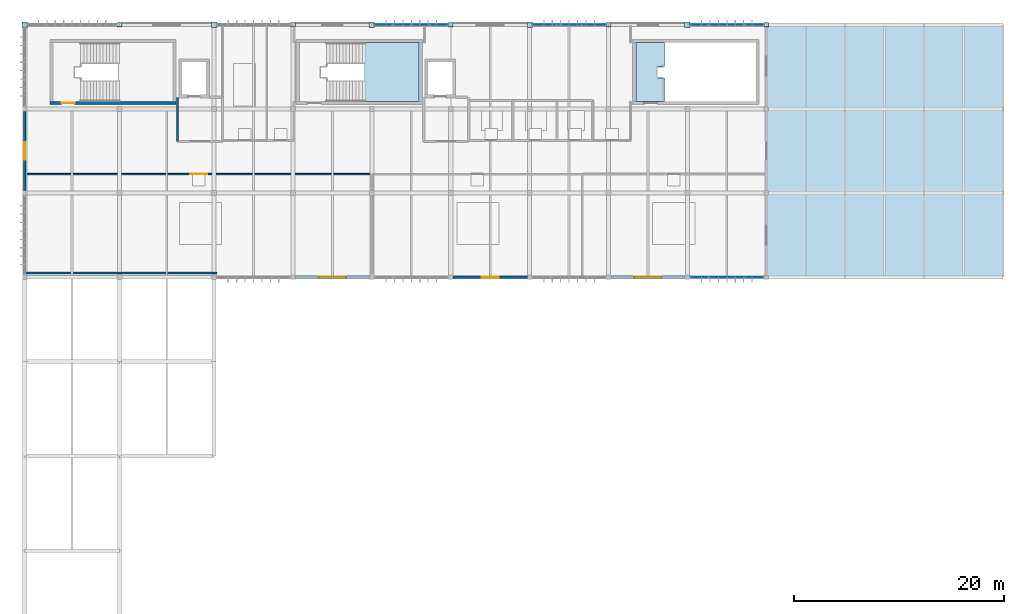
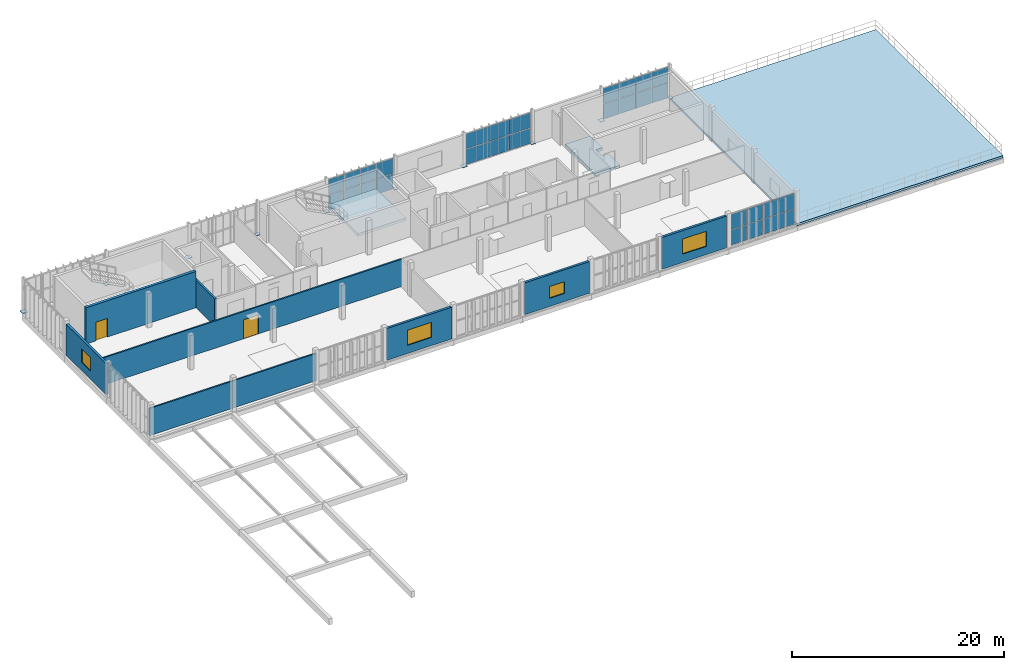
# One storey, part 18 of 26: 40 plates, 8 walls, 4 windows, 3 slabs, 2 doors, 6 openings, 5 elements without a shape of their own.
"""IFC4 building model written with IfcOpenShell, lengths in metres."""

from ifc_helpers import new_model, si_unit, direction, frame, frame_2d, origin, origin_2d, place, context, subcontext, project, spatial, polyline, rectangle, outline, extrude, material, layer, layer_set, type_object, element, fill, aggregate, save


model = new_model("IFC4")

# Units and contexts
model_context = context("Model", 3, precision=1e-05, world=origin(), true_north=direction((0.0, 1.0)))
body_context = subcontext(model_context, "Body", "Model", "MODEL_VIEW")
ifc_project = project(units=[si_unit("LENGTHUNIT", "METRE"), si_unit("AREAUNIT", "SQUARE_METRE"), si_unit("VOLUMEUNIT", "CUBIC_METRE"), si_unit("PLANEANGLEUNIT", "RADIAN"), si_unit("MASSUNIT", "GRAM", prefix="KILO")], contexts=[model_context])

# Site, building, storey
site_placement = place(None, origin())
site = spatial("IfcSite", under=ifc_project, at=site_placement, CompositionType="ELEMENT")
building_placement = place(site_placement, origin())
building = spatial("IfcBuilding", under=site, at=building_placement, Name="Vourika Railside Aquatics Centre", CompositionType="ELEMENT")
storey_placement = place(building_placement, frame((0.0, 0.0, 17.699951171875)))
storey = spatial("IfcBuildingStorey", under=building, at=storey_placement, Name="L04", CompositionType="ELEMENT", Elevation=17.699951171875)

# Curtain wall, plates
ifc_material_1 = material(Name="Anodized thermally broken aluminium", Category="aluminium")
curtain_wall_type = type_object("IfcCurtainWallType", Name="CW-FIT4", PredefinedType="NOTDEFINED", material=ifc_material_1)
curtain_wall_1_placement = place(storey_placement, origin())
curtain_wall_1 = element("IfcCurtainWall", 1, at=curtain_wall_1_placement, inside=storey, type_object=curtain_wall_type, Name="North Boulevard Curtain Wall L04-5", PredefinedType="NOTDEFINED")
ifc_material_2 = material(Name="Low-E solar-control laminated double glazing", Category="glass")
ifc_layer_1 = layer(ifc_material_2, 0.02392578125, Name="CWP-FIT4")
ifc_layer_set_1 = layer_set([ifc_layer_1], Name="Low-E solar-control laminated double glazing")
plate_type_1 = type_object("IfcPlateType", Name="CWP-FIT4", PredefinedType="CURTAIN_PANEL", material=ifc_layer_set_1)
plate_1_placement = place(storey_placement, frame((57.413818359375, 116.0, 0.05517578125), z_axis=(0.0, 0.0, 1.0), x_axis=(-1.0, 0.0, 0.0)))
plate_1 = element("IfcPlate", 2, at=plate_1_placement, type_object=plate_type_1, Name="CW18 panel 1.1", PredefinedType="CURTAIN_PANEL", context=body_context, shape_type="SweptSolid", body=[
    extrude(rectangle(XDim=1.702392578125, YDim=0.02392578125, at=origin_2d()), origin(), (0.0, 0.0, 1.0), 1.75244140625),
])
plate_2_placement = place(storey_placement, frame((57.413818359375, 116.0, 1.862548828125), z_axis=(0.0, 0.0, 1.0), x_axis=(-1.0, 0.0, 0.0)))
plate_2 = element("IfcPlate", 3, at=plate_2_placement, type_object=plate_type_1, Name="CW18 panel 1.2", PredefinedType="CURTAIN_PANEL", context=body_context, shape_type="SweptSolid", body=[
    extrude(rectangle(XDim=1.702392578125, YDim=0.02392578125, at=origin_2d()), origin(), (0.0, 0.0, 1.0), 1.75244140625),
])
plate_3_placement = place(storey_placement, frame((55.642578125, 116.0, 0.05517578125), z_axis=(0.0, 0.0, 1.0), x_axis=(-1.0, 0.0, 0.0)))
plate_3 = element("IfcPlate", 4, at=plate_3_placement, type_object=plate_type_1, Name="CW18 panel 2.1", PredefinedType="CURTAIN_PANEL", context=body_context, shape_type="SweptSolid", body=[
    extrude(rectangle(XDim=1.72998046875, YDim=0.02392578125, at=origin_2d()), origin(), (0.0, 0.0, 1.0), 1.75244140625),
])
plate_4_placement = place(storey_placement, frame((55.642578125, 116.0, 1.862548828125), z_axis=(0.0, 0.0, 1.0), x_axis=(-1.0, 0.0, 0.0)))
plate_4 = element("IfcPlate", 5, at=plate_4_placement, type_object=plate_type_1, Name="CW18 panel 2.2", PredefinedType="CURTAIN_PANEL", context=body_context, shape_type="SweptSolid", body=[
    extrude(rectangle(XDim=1.72998046875, YDim=0.02392578125, at=origin_2d()), origin(), (0.0, 0.0, 1.0), 1.75244140625),
])
plate_5_placement = place(storey_placement, frame((53.857421875, 116.0, 0.05517578125), z_axis=(0.0, 0.0, 1.0), x_axis=(-1.0, 0.0, 0.0)))
plate_5 = element("IfcPlate", 6, at=plate_5_placement, type_object=plate_type_1, Name="CW18 panel 3.1", PredefinedType="CURTAIN_PANEL", context=body_context, shape_type="SweptSolid", body=[
    extrude(rectangle(XDim=1.72998046875, YDim=0.02392578125, at=origin_2d()), origin(), (0.0, 0.0, 1.0), 1.75244140625),
])
plate_6_placement = place(storey_placement, frame((53.857421875, 116.0, 1.862548828125), z_axis=(0.0, 0.0, 1.0), x_axis=(-1.0, 0.0, 0.0)))
plate_6 = element("IfcPlate", 7, at=plate_6_placement, type_object=plate_type_1, Name="CW18 panel 3.2", PredefinedType="CURTAIN_PANEL", context=body_context, shape_type="SweptSolid", body=[
    extrude(rectangle(XDim=1.72998046875, YDim=0.02392578125, at=origin_2d()), origin(), (0.0, 0.0, 1.0), 1.75244140625),
])
plate_7_placement = place(storey_placement, frame((52.086181640625, 116.0, 0.05517578125), z_axis=(0.0, 0.0, 1.0), x_axis=(-1.0, 0.0, 0.0)))
plate_7 = element("IfcPlate", 8, at=plate_7_placement, type_object=plate_type_1, Name="CW18 panel 4.1", PredefinedType="CURTAIN_PANEL", context=body_context, shape_type="SweptSolid", body=[
    extrude(rectangle(XDim=1.702392578125, YDim=0.02392578125, at=origin_2d()), origin(), (0.0, 0.0, 1.0), 1.75244140625),
])
plate_8_placement = place(storey_placement, frame((52.086181640625, 116.0, 1.862548828125), z_axis=(0.0, 0.0, 1.0), x_axis=(-1.0, 0.0, 0.0)))
plate_8 = element("IfcPlate", 9, at=plate_8_placement, type_object=plate_type_1, Name="CW18 panel 4.2", PredefinedType="CURTAIN_PANEL", context=body_context, shape_type="SweptSolid", body=[
    extrude(rectangle(XDim=1.702392578125, YDim=0.02392578125, at=origin_2d()), origin(), (0.0, 0.0, 1.0), 1.75244140625),
])
aggregate(curtain_wall_1, [plate_1, plate_2, plate_3, plate_4, plate_5, plate_6, plate_7, plate_8])

curtain_wall_2_placement = place(storey_placement, origin())
curtain_wall_2 = element("IfcCurtainWall", 10, at=curtain_wall_2_placement, inside=storey, type_object=curtain_wall_type, Name="North Boulevard Curtain Wall L04-7", PredefinedType="NOTDEFINED")
plate_9_placement = place(storey_placement, frame((72.1162109375, 116.0, 0.05517578125), z_axis=(0.0, 0.0, 1.0), x_axis=(-1.0, 0.0, 0.0)))
plate_9 = element("IfcPlate", 11, at=plate_9_placement, type_object=plate_type_1, Name="CW18 panel 1.1", PredefinedType="CURTAIN_PANEL", context=body_context, shape_type="SweptSolid", body=[
    extrude(rectangle(XDim=2.297607421875, YDim=0.02392578125, at=origin_2d()), origin(), (0.0, 0.0, 1.0), 1.75244140625),
])
plate_10_placement = place(storey_placement, frame((72.1162109375, 116.0, 1.862548828125), z_axis=(0.0, 0.0, 1.0), x_axis=(-1.0, 0.0, 0.0)))
plate_10 = element("IfcPlate", 12, at=plate_10_placement, type_object=plate_type_1, Name="CW18 panel 1.2", PredefinedType="CURTAIN_PANEL", context=body_context, shape_type="SweptSolid", body=[
    extrude(rectangle(XDim=2.297607421875, YDim=0.02392578125, at=origin_2d()), origin(), (0.0, 0.0, 1.0), 1.75244140625),
])
plate_11_placement = place(storey_placement, frame((69.75, 116.0, 0.05517578125), z_axis=(0.0, 0.0, 1.0), x_axis=(-1.0, 0.0, 0.0)))
plate_11 = element("IfcPlate", 13, at=plate_11_placement, type_object=plate_type_1, Name="CW18 panel 2.1", PredefinedType="CURTAIN_PANEL", context=body_context, shape_type="SweptSolid", body=[
    extrude(rectangle(XDim=2.324951171875, YDim=0.02392578125, at=origin_2d()), origin(), (0.0, 0.0, 1.0), 1.75244140625),
])
plate_12_placement = place(storey_placement, frame((69.75, 116.0, 1.862548828125), z_axis=(0.0, 0.0, 1.0), x_axis=(-1.0, 0.0, 0.0)))
plate_12 = element("IfcPlate", 14, at=plate_12_placement, type_object=plate_type_1, Name="CW18 panel 2.2", PredefinedType="CURTAIN_PANEL", context=body_context, shape_type="SweptSolid", body=[
    extrude(rectangle(XDim=2.324951171875, YDim=0.02392578125, at=origin_2d()), origin(), (0.0, 0.0, 1.0), 1.75244140625),
])
plate_13_placement = place(storey_placement, frame((67.3837890625, 116.0, 0.05517578125), z_axis=(0.0, 0.0, 1.0), x_axis=(-1.0, 0.0, 0.0)))
plate_13 = element("IfcPlate", 15, at=plate_13_placement, type_object=plate_type_1, Name="CW18 panel 3.1", PredefinedType="CURTAIN_PANEL", context=body_context, shape_type="SweptSolid", body=[
    extrude(rectangle(XDim=2.297607421875, YDim=0.02392578125, at=origin_2d()), origin(), (0.0, 0.0, 1.0), 1.75244140625),
])
plate_14_placement = place(storey_placement, frame((67.3837890625, 116.0, 1.862548828125), z_axis=(0.0, 0.0, 1.0), x_axis=(-1.0, 0.0, 0.0)))
plate_14 = element("IfcPlate", 16, at=plate_14_placement, type_object=plate_type_1, Name="CW18 panel 3.2", PredefinedType="CURTAIN_PANEL", context=body_context, shape_type="SweptSolid", body=[
    extrude(rectangle(XDim=2.297607421875, YDim=0.02392578125, at=origin_2d()), origin(), (0.0, 0.0, 1.0), 1.75244140625),
])
aggregate(curtain_wall_2, [plate_9, plate_10, plate_11, plate_12, plate_13, plate_14])

curtain_wall_3_placement = place(storey_placement, origin())
curtain_wall_3 = element("IfcCurtainWall", 17, at=curtain_wall_3_placement, inside=storey, type_object=curtain_wall_type, Name="North Boulevard Curtain Wall L04-9", PredefinedType="NOTDEFINED")
plate_15_placement = place(storey_placement, frame((87.413818359375, 116.0, 0.05517578125), z_axis=(0.0, 0.0, 1.0), x_axis=(-1.0, 0.0, 0.0)))
plate_15 = element("IfcPlate", 18, at=plate_15_placement, type_object=plate_type_1, Name="CW18 panel 1.1", PredefinedType="CURTAIN_PANEL", context=body_context, shape_type="SweptSolid", body=[
    extrude(rectangle(XDim=1.702392578125, YDim=0.02392578125, at=origin_2d()), origin(), (0.0, 0.0, 1.0), 1.75244140625),
])
plate_16_placement = place(storey_placement, frame((87.413818359375, 116.0, 1.862548828125), z_axis=(0.0, 0.0, 1.0), x_axis=(-1.0, 0.0, 0.0)))
plate_16 = element("IfcPlate", 19, at=plate_16_placement, type_object=plate_type_1, Name="CW18 panel 1.2", PredefinedType="CURTAIN_PANEL", context=body_context, shape_type="SweptSolid", body=[
    extrude(rectangle(XDim=1.702392578125, YDim=0.02392578125, at=origin_2d()), origin(), (0.0, 0.0, 1.0), 1.75244140625),
])
plate_17_placement = place(storey_placement, frame((85.642578125, 116.0, 0.05517578125), z_axis=(0.0, 0.0, 1.0), x_axis=(-1.0, 0.0, 0.0)))
plate_17 = element("IfcPlate", 20, at=plate_17_placement, type_object=plate_type_1, Name="CW18 panel 2.1", PredefinedType="CURTAIN_PANEL", context=body_context, shape_type="SweptSolid", body=[
    extrude(rectangle(XDim=1.72998046875, YDim=0.02392578125, at=origin_2d()), origin(), (0.0, 0.0, 1.0), 1.75244140625),
])
plate_18_placement = place(storey_placement, frame((85.642578125, 116.0, 1.862548828125), z_axis=(0.0, 0.0, 1.0), x_axis=(-1.0, 0.0, 0.0)))
plate_18 = element("IfcPlate", 21, at=plate_18_placement, type_object=plate_type_1, Name="CW18 panel 2.2", PredefinedType="CURTAIN_PANEL", context=body_context, shape_type="SweptSolid", body=[
    extrude(rectangle(XDim=1.72998046875, YDim=0.02392578125, at=origin_2d()), origin(), (0.0, 0.0, 1.0), 1.75244140625),
])
plate_19_placement = place(storey_placement, frame((83.857421875, 116.0, 0.05517578125), z_axis=(0.0, 0.0, 1.0), x_axis=(-1.0, 0.0, 0.0)))
plate_19 = element("IfcPlate", 22, at=plate_19_placement, type_object=plate_type_1, Name="CW18 panel 3.1", PredefinedType="CURTAIN_PANEL", context=body_context, shape_type="SweptSolid", body=[
    extrude(rectangle(XDim=1.72998046875, YDim=0.02392578125, at=origin_2d()), origin(), (0.0, 0.0, 1.0), 1.75244140625),
])
plate_20_placement = place(storey_placement, frame((83.857421875, 116.0, 1.862548828125), z_axis=(0.0, 0.0, 1.0), x_axis=(-1.0, 0.0, 0.0)))
plate_20 = element("IfcPlate", 23, at=plate_20_placement, type_object=plate_type_1, Name="CW18 panel 3.2", PredefinedType="CURTAIN_PANEL", context=body_context, shape_type="SweptSolid", body=[
    extrude(rectangle(XDim=1.72998046875, YDim=0.02392578125, at=origin_2d()), origin(), (0.0, 0.0, 1.0), 1.75244140625),
])
plate_21_placement = place(storey_placement, frame((82.086181640625, 116.0, 0.05517578125), z_axis=(0.0, 0.0, 1.0), x_axis=(-1.0, 0.0, 0.0)))
plate_21 = element("IfcPlate", 24, at=plate_21_placement, type_object=plate_type_1, Name="CW18 panel 4.1", PredefinedType="CURTAIN_PANEL", context=body_context, shape_type="SweptSolid", body=[
    extrude(rectangle(XDim=1.702392578125, YDim=0.02392578125, at=origin_2d()), origin(), (0.0, 0.0, 1.0), 1.75244140625),
])
plate_22_placement = place(storey_placement, frame((82.086181640625, 116.0, 1.862548828125), z_axis=(0.0, 0.0, 1.0), x_axis=(-1.0, 0.0, 0.0)))
plate_22 = element("IfcPlate", 25, at=plate_22_placement, type_object=plate_type_1, Name="CW18 panel 4.2", PredefinedType="CURTAIN_PANEL", context=body_context, shape_type="SweptSolid", body=[
    extrude(rectangle(XDim=1.702392578125, YDim=0.02392578125, at=origin_2d()), origin(), (0.0, 0.0, 1.0), 1.75244140625),
])
aggregate(curtain_wall_3, [plate_15, plate_16, plate_17, plate_18, plate_19, plate_20, plate_21, plate_22])

curtain_wall_4_placement = place(storey_placement, origin())
curtain_wall_4 = element("IfcCurtainWall", 26, at=curtain_wall_4_placement, inside=storey, type_object=curtain_wall_type, Name="Courtyard Fitness Curtain Wall L04-7", PredefinedType="NOTDEFINED")
plate_23_placement = place(storey_placement, frame((82.142578125, 92.0, 0.05517578125), z_axis=(0.0, 0.0, 1.0), x_axis=(1.0, 0.0, 0.0)))
plate_23 = element("IfcPlate", 27, at=plate_23_placement, type_object=plate_type_1, Name="CW18 panel 1.1", PredefinedType="CURTAIN_PANEL", context=body_context, shape_type="SweptSolid", body=[
    extrude(rectangle(XDim=1.6650390625, YDim=0.02392578125, at=origin_2d()), origin(), (0.0, 0.0, 1.0), 1.75244140625),
])
plate_24_placement = place(storey_placement, frame((82.142578125, 92.0, 1.862548828125), z_axis=(0.0, 0.0, 1.0), x_axis=(1.0, 0.0, 0.0)))
plate_24 = element("IfcPlate", 28, at=plate_24_placement, type_object=plate_type_1, Name="CW18 panel 1.2", PredefinedType="CURTAIN_PANEL", context=body_context, shape_type="SweptSolid", body=[
    extrude(rectangle(XDim=1.6650390625, YDim=0.02392578125, at=origin_2d()), origin(), (0.0, 0.0, 1.0), 1.75244140625),
])
plate_25_placement = place(storey_placement, frame((83.876220703125, 92.0, 0.05517578125), z_axis=(0.0, 0.0, 1.0), x_axis=(1.0, 0.0, 0.0)))
plate_25 = element("IfcPlate", 29, at=plate_25_placement, type_object=plate_type_1, Name="CW18 panel 2.1", PredefinedType="CURTAIN_PANEL", context=body_context, shape_type="SweptSolid", body=[
    extrude(rectangle(XDim=1.6923828125, YDim=0.02392578125, at=origin_2d()), origin(), (0.0, 0.0, 1.0), 1.75244140625),
])
plate_26_placement = place(storey_placement, frame((83.876220703125, 92.0, 1.862548828125), z_axis=(0.0, 0.0, 1.0), x_axis=(1.0, 0.0, 0.0)))
plate_26 = element("IfcPlate", 30, at=plate_26_placement, type_object=plate_type_1, Name="CW18 panel 2.2", PredefinedType="CURTAIN_PANEL", context=body_context, shape_type="SweptSolid", body=[
    extrude(rectangle(XDim=1.6923828125, YDim=0.02392578125, at=origin_2d()), origin(), (0.0, 0.0, 1.0), 1.75244140625),
])
plate_27_placement = place(storey_placement, frame((85.623779296875, 92.0, 0.05517578125), z_axis=(0.0, 0.0, 1.0), x_axis=(1.0, 0.0, 0.0)))
plate_27 = element("IfcPlate", 31, at=plate_27_placement, type_object=plate_type_1, Name="CW18 panel 3.1", PredefinedType="CURTAIN_PANEL", context=body_context, shape_type="SweptSolid", body=[
    extrude(rectangle(XDim=1.6923828125, YDim=0.02392578125, at=origin_2d()), origin(), (0.0, 0.0, 1.0), 1.75244140625),
])
plate_28_placement = place(storey_placement, frame((85.623779296875, 92.0, 1.862548828125), z_axis=(0.0, 0.0, 1.0), x_axis=(1.0, 0.0, 0.0)))
plate_28 = element("IfcPlate", 32, at=plate_28_placement, type_object=plate_type_1, Name="CW18 panel 3.2", PredefinedType="CURTAIN_PANEL", context=body_context, shape_type="SweptSolid", body=[
    extrude(rectangle(XDim=1.6923828125, YDim=0.02392578125, at=origin_2d()), origin(), (0.0, 0.0, 1.0), 1.75244140625),
])
plate_29_placement = place(storey_placement, frame((87.357421875, 92.0, 0.05517578125), z_axis=(0.0, 0.0, 1.0), x_axis=(1.0, 0.0, 0.0)))
plate_29 = element("IfcPlate", 33, at=plate_29_placement, type_object=plate_type_1, Name="CW18 panel 4.1", PredefinedType="CURTAIN_PANEL", context=body_context, shape_type="SweptSolid", body=[
    extrude(rectangle(XDim=1.6650390625, YDim=0.02392578125, at=origin_2d()), origin(), (0.0, 0.0, 1.0), 1.75244140625),
])
plate_30_placement = place(storey_placement, frame((87.357421875, 92.0, 1.862548828125), z_axis=(0.0, 0.0, 1.0), x_axis=(1.0, 0.0, 0.0)))
plate_30 = element("IfcPlate", 34, at=plate_30_placement, type_object=plate_type_1, Name="CW18 panel 4.2", PredefinedType="CURTAIN_PANEL", context=body_context, shape_type="SweptSolid", body=[
    extrude(rectangle(XDim=1.6650390625, YDim=0.02392578125, at=origin_2d()), origin(), (0.0, 0.0, 1.0), 1.75244140625),
])
aggregate(curtain_wall_4, [plate_23, plate_24, plate_25, plate_26, plate_27, plate_28, plate_29, plate_30])

# Plates
ifc_material_3 = material(Name="Steel S355J2", Category="steel")
ifc_layer_2 = layer(ifc_material_3, 0.02490234375, Name="PLT-BASE-440x440x25")
ifc_layer_set_2 = layer_set([ifc_layer_2], Name="Steel S355J2")
plate_type_2 = type_object("IfcPlateType", Name="PLT-BASE-440x440x25", PredefinedType="USERDEFINED", material=ifc_layer_set_2)
for number, where, z_axis, x_axis, name in (
    (35, (27.0, 116.0, 0.0), (0.0, 0.0, 1.0), (1.0, 0.0, 0.0), "Steel Column Base Plate BP-051"),
    (36, (43.5, 116.0, 0.0), (0.0, 0.0, 1.0), (1.0, 0.0, 0.0), "Steel Column Base Plate BP-053"),
    (37, (58.5, 116.0, 0.0), (0.0, 0.0, 1.0), (1.0, 0.0, 0.0), "Steel Column Base Plate BP-055"),
    (38, (73.5, 116.0, 0.0), (0.0, 0.0, 1.0), (1.0, 0.0, 0.0), "Steel Column Base Plate BP-057"),
    (39, (88.5, 116.0, 0.0), (0.0, 0.0, 1.0), (1.0, 0.0, 0.0), "Steel Column Base Plate BP-059"),
):
    element("IfcPlate", number, at=place(storey_placement, frame(where, z_axis=z_axis, x_axis=x_axis)), inside=storey, type_object=plate_type_2, Name=name, ObjectType="BASE PLATE", PredefinedType="USERDEFINED", context=body_context, shape_type="SweptSolid", body=[
        extrude(rectangle(XDim=0.43994140625, YDim=0.43994140625, at=origin_2d()), origin(), (0.0, 0.0, 1.0), 0.02490234375),
    ])
ifc_layer_3 = layer(ifc_material_3, 0.030029296875, Name="PLT-BASE-520x520x30")
ifc_layer_set_3 = layer_set([ifc_layer_3], Name="Steel S355J2")
plate_type_3 = type_object("IfcPlateType", Name="PLT-BASE-520x520x30", PredefinedType="USERDEFINED", material=ifc_layer_set_3)
for number, where, z_axis, x_axis, name in (
    (40, (18.0, 116.0, 0.0), (0.0, 0.0, 1.0), (1.0, 0.0, 0.0), "Steel Column Base Plate BP-050"),
    (41, (36.0, 116.0, 0.0), (0.0, 0.0, 1.0), (1.0, 0.0, 0.0), "Steel Column Base Plate BP-052"),
    (42, (51.0, 116.0, 0.0), (0.0, 0.0, 1.0), (1.0, 0.0, 0.0), "Steel Column Base Plate BP-054"),
    (43, (66.0, 116.0, 0.0), (0.0, 0.0, 1.0), (1.0, 0.0, 0.0), "Steel Column Base Plate BP-056"),
    (44, (81.0, 116.0, 0.0), (0.0, 0.0, 1.0), (1.0, 0.0, 0.0), "Steel Column Base Plate BP-058"),
):
    element("IfcPlate", number, at=place(storey_placement, frame(where, z_axis=z_axis, x_axis=x_axis)), inside=storey, type_object=plate_type_3, Name=name, ObjectType="BASE PLATE", PredefinedType="USERDEFINED", context=body_context, shape_type="SweptSolid", body=[
        extrude(rectangle(XDim=0.52001953125, YDim=0.52001953125, at=origin_2d()), origin(), (0.0, 0.0, 1.0), 0.030029296875),
    ])

# Slab
ifc_material_4 = material(Name="Concrete C35/45", Category="concrete")
ifc_layer_4 = layer(ifc_material_4, 0.31005859375, Name="SLB-CORE-310")
ifc_layer_set_4 = layer_set([ifc_layer_4], Name="Concrete C35/45")
slab_type_1 = type_object("IfcSlabType", Name="SLB-CORE-310", PredefinedType="FLOOR", material=ifc_layer_set_4)
slab_1_placement = place(storey_placement, frame((0.0, 0.0, -0.31005859375)))
element("IfcSlab", 45, at=slab_1_placement, inside=storey, type_object=slab_type_1, Name="Protected Exit Stair Core ST03 Core Floor Landing (L04)", PredefinedType="FLOOR", context=body_context, shape_type="SweptSolid", body=[
    extrude(outline(polyline([(76.10009765625, 108.699951171875), (78.840087890625, 108.699951171875), (78.840087890625, 110.949951171875), (78.14990234375, 110.949951171875), (78.14990234375, 112.050048828125), (78.840087890625, 112.050048828125), (78.840087890625, 114.300048828125), (76.10009765625, 114.300048828125), (76.10009765625, 108.699951171875)])), origin(), (0.0, 0.0, 1.0), 0.31005859375),
])

# Stair, slab
stair_type = type_object("IfcStairType", Name="STR-CORE-L04", PredefinedType="TWO_STRAIGHT_RUN_STAIR", material=ifc_material_4)
stair_placement = place(storey_placement, origin())
stair = element("IfcStair", 46, at=stair_placement, inside=storey, type_object=stair_type, Name="Protected Exit Stair Core ST02 (L04)", PredefinedType="TWO_STRAIGHT_RUN_STAIR")
ifc_layer_5 = layer(ifc_material_4, 0.31005859375, Name="SLB-LND-310")
ifc_layer_set_5 = layer_set([ifc_layer_5], Name="Concrete C35/45")
slab_type_2 = type_object("IfcSlabType", Name="SLB-LND-310", PredefinedType="LANDING", material=ifc_layer_set_5)
slab_2_placement = place(storey_placement, frame((0.0, 0.0, 1.7900390625)))
slab_2 = element("IfcSlab", 47, at=slab_2_placement, type_object=slab_type_2, Name="STC-L04 landing 1", PredefinedType="LANDING", context=body_context, shape_type="SweptSolid", body=[
    extrude(outline(polyline([(50.256103515625, 108.699951171875), (55.5, 108.699951171875), (55.5, 114.300048828125), (50.256103515625, 114.300048828125), (50.256103515625, 108.699951171875)])), origin(), (0.0, 0.0, 1.0), 0.31005859375),
])
aggregate(stair, [slab_2])

# Slab
ifc_material_5 = material(Name="Concrete C40/50", Category="concrete")
ifc_layer_6 = layer(ifc_material_5, 0.25, Name="SLB-TERR-250E")
ifc_layer_set_6 = layer_set([ifc_layer_6], Name="Concrete C40/50")
slab_type_3 = type_object("IfcSlabType", Name="SLB-TERR-250E", PredefinedType="FLOOR", material=ifc_layer_set_6)
slab_3_placement = place(storey_placement, frame((0.0, 0.0, -0.25)))
element("IfcSlab", 48, at=slab_3_placement, inside=storey, type_object=slab_type_3, Name="L04 Outdoor Terrace Slab (v5_terr_l04)", PredefinedType="FLOOR", context=body_context, shape_type="SweptSolid", body=[
    extrude(outline(polyline([(111.0, 92.0), (111.0, 116.0), (88.5, 116.0), (88.5, 92.0), (111.0, 92.0)])), origin(), (0.0, 0.0, 1.0), 0.25),
])

# Wall, opening, door
ifc_layer_7 = layer(ifc_material_5, 0.300048828125, Name="WL-CORE")
ifc_layer_set_7 = layer_set([ifc_layer_7], Name="Concrete C40/50")
wall_type_1 = type_object("IfcWallType", Name="WL-CORE", PredefinedType="SHEAR", material=ifc_layer_set_7)
wall_1_placement = place(storey_placement, frame((20.39990234375, 108.550048828125, 0.0), z_axis=(0.0, 0.0, 1.0), x_axis=(1.0, 0.0, 0.0)))
wall_1 = element("IfcWall", 49, at=wall_1_placement, inside=storey, type_object=wall_type_1, Name="Protected Exit Stair Core ST01 South Wall (L04)", PredefinedType="SHEAR", context=body_context, shape_type="SweptSolid", body=[
    extrude(rectangle(XDim=12.0, YDim=0.300048828125, at=frame_2d((6.0, 0.0))), origin(), (0.0, 0.0, 1.0), 4.199951171875),
])
opening_1_placement = place(wall_1_placement, frame((1.10009765625, 0.0, 0.0)))
opening_1 = element("IfcOpeningElement", 50, at=opening_1_placement, cuts=wall_1, Name="Opening DF02", PredefinedType="OPENING", context=body_context, shape_type="SweptSolid", body=[
    extrude(rectangle(XDim=1.25, YDim=2.14990234375, at=frame_2d((0.625, 1.074951171875))), frame((0.0, 0.16015625, 0.0), z_axis=(0.0, -1.0, 0.0), x_axis=(1.0, 0.0, 0.0)), (0.0, 0.0, 1.0), 0.320068359375),
])
ifc_material_6 = material(Name="Fire-rated wide exit stair door")
door_type_1 = type_object("IfcDoorType", Name="DR-FD60-125", OperationType="NOTDEFINED", PredefinedType="DOOR", material=ifc_material_6)
door_1_placement = place(opening_1_placement, origin())
door_1 = element("IfcDoor", 51, at=door_1_placement, inside=storey, type_object=door_type_1, Name="Protected Exit Stair Core ST01 Enclosure Fire Door (L04)", OperationType="SINGLE_SWING_LEFT", OverallHeight=2.14990234375, OverallWidth=1.25, PredefinedType="DOOR", context=body_context, shape_type="SweptSolid", body=[
    extrude(rectangle(XDim=1.25, YDim=2.14990234375, at=frame_2d((0.625, 1.074951171875))), frame((0.0, 0.02490234375, 0.0), z_axis=(0.0, -1.0, 0.0), x_axis=(1.0, 0.0, 0.0)), (0.0, 0.0, 1.0), 0.050048828125),
])
fill(opening_1, door_1)

# Wall, opening, window
ifc_material_7 = material(Name="Precast concrete C40/50", Category="concrete")
ifc_layer_8 = layer(ifc_material_7, 0.25, Name="WL-EXT-250")
ifc_layer_set_8 = layer_set([ifc_layer_8], Name="Precast concrete C40/50")
wall_type_2 = type_object("IfcWallType", Name="WL-EXT-250", PredefinedType="SOLIDWALL", material=ifc_layer_set_8)
wall_2_placement = place(storey_placement, frame((43.72509765625, 92.0, 0.0), z_axis=(0.0, 0.0, 1.0), x_axis=(1.0, 0.0, 0.0)))
wall_2 = element("IfcWall", 52, at=wall_2_placement, inside=storey, type_object=wall_type_2, Name="Courtyard Precast Wall L04-2", PredefinedType="SOLIDWALL", context=body_context, shape_type="SweptSolid", body=[
    extrude(rectangle(XDim=7.0498046875, YDim=0.25, at=frame_2d((3.52490234375, 0.0))), origin(), (0.0, 0.0, 1.0), 3.670166015625),
])
opening_2_placement = place(wall_2_placement, frame((2.22509765625, 0.0, 0.949951171875)))
opening_2 = element("IfcOpeningElement", 53, at=opening_2_placement, cuts=wall_2, Name="Opening W14", PredefinedType="OPENING", context=body_context, shape_type="SweptSolid", body=[
    extrude(rectangle(XDim=2.60009765625, YDim=1.75, at=frame_2d((1.300048828125, 0.875))), frame((0.0, 0.135009765625, 0.0), z_axis=(0.0, -1.0, 0.0), x_axis=(1.0, 0.0, 0.0)), (0.0, 0.0, 1.0), 0.27001953125),
])
ifc_material_8 = material(Name="Laminated solar-control glass", Category="glass")
window_type_1 = type_object("IfcWindowType", Name="WN-ACD-260x175", PartitioningType="DOUBLE_PANEL_VERTICAL", PredefinedType="WINDOW", material=ifc_material_8)
window_1_placement = place(opening_2_placement, origin())
window_1 = element("IfcWindow", 54, at=window_1_placement, inside=storey, type_object=window_type_1, Name="Courtyard Fitness Window L04-2", OverallHeight=1.75, OverallWidth=2.60009765625, PartitioningType="SINGLE_PANEL", PredefinedType="WINDOW", context=body_context, shape_type="SweptSolid", body=[
    extrude(rectangle(XDim=2.60009765625, YDim=1.75, at=frame_2d((1.300048828125, 0.875))), frame((0.0, 0.030029296875, 0.0), z_axis=(0.0, -1.0, 0.0), x_axis=(1.0, 0.0, 0.0)), (0.0, 0.0, 1.0), 0.06005859375),
])
fill(opening_2, window_1)

wall_3_placement = place(storey_placement, frame((58.72509765625, 92.0, 0.0), z_axis=(0.0, 0.0, 1.0), x_axis=(1.0, 0.0, 0.0)))
wall_3 = element("IfcWall", 55, at=wall_3_placement, inside=storey, type_object=wall_type_2, Name="Courtyard Precast Wall L04-4", PredefinedType="SOLIDWALL", context=body_context, shape_type="SweptSolid", body=[
    extrude(rectangle(XDim=7.0498046875, YDim=0.25, at=frame_2d((3.52490234375, 0.0))), origin(), (0.0, 0.0, 1.0), 3.670166015625),
])
opening_3_placement = place(wall_3_placement, frame((2.699951171875, 0.0, 0.949951171875)))
opening_3 = element("IfcOpeningElement", 56, at=opening_3_placement, cuts=wall_3, Name="Opening W13", PredefinedType="OPENING", context=body_context, shape_type="SweptSolid", body=[
    extrude(rectangle(XDim=1.64990234375, YDim=1.35009765625, at=frame_2d((0.824951171875, 0.675048828125))), frame((0.0, 0.135009765625, 0.0), z_axis=(0.0, -1.0, 0.0), x_axis=(1.0, 0.0, 0.0)), (0.0, 0.0, 1.0), 0.27001953125),
])
window_type_2 = type_object("IfcWindowType", Name="WN-SPA-165x135", PartitioningType="SINGLE_PANEL", PredefinedType="WINDOW", material=ifc_material_8)
window_2_placement = place(opening_3_placement, origin())
window_2 = element("IfcWindow", 57, at=window_2_placement, inside=storey, type_object=window_type_2, Name="Courtyard Fitness Window L04-4", OverallHeight=1.35009765625, OverallWidth=1.64990234375, PartitioningType="SINGLE_PANEL", PredefinedType="WINDOW", context=body_context, shape_type="SweptSolid", body=[
    extrude(rectangle(XDim=1.64990234375, YDim=1.35009765625, at=frame_2d((0.824951171875, 0.675048828125))), frame((0.0, 0.030029296875, 0.0), z_axis=(0.0, -1.0, 0.0), x_axis=(1.0, 0.0, 0.0)), (0.0, 0.0, 1.0), 0.06005859375),
])
fill(opening_3, window_2)

wall_4_placement = place(storey_placement, frame((73.72509765625, 92.0, 0.0), z_axis=(0.0, 0.0, 1.0), x_axis=(1.0, 0.0, 0.0)))
wall_4 = element("IfcWall", 58, at=wall_4_placement, inside=storey, type_object=wall_type_2, Name="Courtyard Precast Wall L04-6", PredefinedType="SOLIDWALL", context=body_context, shape_type="SweptSolid", body=[
    extrude(rectangle(XDim=7.0498046875, YDim=0.25, at=frame_2d((3.52490234375, 0.0))), origin(), (0.0, 0.0, 1.0), 3.670166015625),
])
opening_4_placement = place(wall_4_placement, frame((2.22509765625, 0.0, 0.949951171875)))
opening_4 = element("IfcOpeningElement", 59, at=opening_4_placement, cuts=wall_4, Name="Opening W14", PredefinedType="OPENING", context=body_context, shape_type="SweptSolid", body=[
    extrude(rectangle(XDim=2.60009765625, YDim=1.75, at=frame_2d((1.300048828125, 0.875))), frame((0.0, 0.135009765625, 0.0), z_axis=(0.0, -1.0, 0.0), x_axis=(1.0, 0.0, 0.0)), (0.0, 0.0, 1.0), 0.27001953125),
])
window_3_placement = place(opening_4_placement, origin())
window_3 = element("IfcWindow", 60, at=window_3_placement, inside=storey, type_object=window_type_1, Name="Courtyard Fitness Window L04-6", OverallHeight=1.75, OverallWidth=2.60009765625, PartitioningType="SINGLE_PANEL", PredefinedType="WINDOW", context=body_context, shape_type="SweptSolid", body=[
    extrude(rectangle(XDim=2.60009765625, YDim=1.75, at=frame_2d((1.300048828125, 0.875))), frame((0.0, 0.030029296875, 0.0), z_axis=(0.0, -1.0, 0.0), x_axis=(1.0, 0.0, 0.0)), (0.0, 0.0, 1.0), 0.06005859375),
])
fill(opening_4, window_3)

wall_5_placement = place(storey_placement, frame((18.0, 107.77490234375, 0.0), z_axis=(0.0, 0.0, 1.0), x_axis=(0.0, -1.0, 0.0)))
wall_5 = element("IfcWall", 61, at=wall_5_placement, inside=storey, type_object=wall_type_2, Name="Fitness West Precast Wall L04-2", PredefinedType="SOLIDWALL", context=body_context, shape_type="SweptSolid", body=[
    extrude(rectangle(XDim=7.5498046875, YDim=0.25, at=frame_2d((3.77490234375, 0.0))), origin(), (0.0, 0.0, 1.0), 3.580078125),
])
opening_5_placement = place(wall_5_placement, frame((2.925048828125, 0.0, 0.949951171875)))
opening_5 = element("IfcOpeningElement", 62, at=opening_5_placement, cuts=wall_5, Name="Opening W11", PredefinedType="OPENING", context=body_context, shape_type="SweptSolid", body=[
    extrude(rectangle(XDim=1.699951171875, YDim=1.550048828125, at=frame_2d((0.85009765625, 0.77490234375))), frame((0.0, 0.135009765625, 0.0), z_axis=(0.0, -1.0, 0.0), x_axis=(1.0, 0.0, 0.0)), (0.0, 0.0, 1.0), 0.27001953125),
])
window_type_3 = type_object("IfcWindowType", Name="WN-LAB-170x155", PartitioningType="SINGLE_PANEL", PredefinedType="WINDOW", material=ifc_material_8)
window_4_placement = place(opening_5_placement, origin())
window_4 = element("IfcWindow", 63, at=window_4_placement, inside=storey, type_object=window_type_3, Name="Fitness West Window L04-2", OverallHeight=1.550048828125, OverallWidth=1.699951171875, PartitioningType="SINGLE_PANEL", PredefinedType="WINDOW", context=body_context, shape_type="SweptSolid", body=[
    extrude(rectangle(XDim=1.699951171875, YDim=1.550048828125, at=frame_2d((0.85009765625, 0.77490234375))), frame((0.0, 0.030029296875, 0.0), z_axis=(0.0, -1.0, 0.0), x_axis=(1.0, 0.0, 0.0)), (0.0, 0.0, 1.0), 0.06005859375),
])
fill(opening_5, window_4)

# Wall
ifc_layer_9 = layer(ifc_material_4, 0.219970703125, Name="WL-FIRE")
ifc_layer_set_9 = layer_set([ifc_layer_9], Name="Concrete C35/45")
wall_type_3 = type_object("IfcWallType", Name="WL-FIRE", PredefinedType="SOLIDWALL", material=ifc_layer_set_9)
wall_6_placement = place(storey_placement, frame((32.52001953125, 104.89990234375, 0.0), z_axis=(0.0, 0.0, 1.0), x_axis=(0.0, 1.0, 0.0)))
element("IfcWall", 64, at=wall_6_placement, inside=storey, type_object=wall_type_3, Name="Lift LF01 Lobby West Fire Wall (L04)", PredefinedType="SOLIDWALL", context=body_context, shape_type="SweptSolid", body=[
    extrude(rectangle(XDim=4.2001953125, YDim=0.219970703125, at=frame_2d((2.10009765625, 0.0))), origin(), (0.0, 0.0, 1.0), 3.150146484375),
])

# Wall, opening, door
ifc_material_9 = material(Name="Acoustic twin-stud partition")
ifc_layer_10 = layer(ifc_material_9, 0.159912109375, Name="WL-PART-160")
ifc_layer_set_10 = layer_set([ifc_layer_10], Name="Acoustic twin-stud partition")
wall_type_4 = type_object("IfcWallType", Name="WL-PART-160", PredefinedType="PARTITIONING", material=ifc_layer_set_10)
wall_7_placement = place(storey_placement, frame((18.10498046875, 101.800048828125, 0.0), z_axis=(0.0, 0.0, 1.0), x_axis=(1.0, 0.0, 0.0)))
wall_7 = element("IfcWall", 65, at=wall_7_placement, inside=storey, type_object=wall_type_4, Name="High-Performance Athletic Conditioning Studio Partition 1", PredefinedType="PARTITIONING", context=body_context, shape_type="SweptSolid", body=[
    extrude(rectangle(XDim=32.89501953125, YDim=0.159912109375, at=frame_2d((16.447509765625, 0.0))), origin(), (0.0, 0.0, 1.0), 3.150146484375),
])
opening_6_placement = place(wall_7_placement, frame((15.6474609375, 0.0, 0.0)))
opening_6 = element("IfcOpeningElement", 66, at=opening_6_placement, cuts=wall_7, Name="Opening DI04", PredefinedType="OPENING", context=body_context, shape_type="SweptSolid", body=[
    extrude(rectangle(XDim=1.60009765625, YDim=2.199951171875, at=frame_2d((0.800048828125, 1.10009765625))), frame((0.0, 0.08984375, 0.0), z_axis=(0.0, -1.0, 0.0), x_axis=(1.0, 0.0, 0.0)), (0.0, 0.0, 1.0), 0.179931640625),
])
ifc_material_10 = material(Name="Double studio entrance door")
door_type_2 = type_object("IfcDoorType", Name="DR-INT-1600D", OperationType="DOUBLE_DOOR_SINGLE_SWING", PredefinedType="DOOR", material=ifc_material_10)
door_2_placement = place(opening_6_placement, origin())
door_2 = element("IfcDoor", 67, at=door_2_placement, inside=storey, type_object=door_type_2, Name="High-Performance Athletic Conditioning Studio Door", OperationType="DOUBLE_DOOR_SINGLE_SWING", OverallHeight=2.199951171875, OverallWidth=1.60009765625, PredefinedType="DOOR", context=body_context, shape_type="SweptSolid", body=[
    extrude(rectangle(XDim=1.60009765625, YDim=2.199951171875, at=frame_2d((0.800048828125, 1.10009765625))), frame((0.0, 0.02490234375, 0.0), z_axis=(0.0, -1.0, 0.0), x_axis=(1.0, 0.0, 0.0)), (0.0, 0.0, 1.0), 0.050048828125),
])
fill(opening_6, door_2)

# Wall
wall_8_placement = place(storey_placement, frame((36.2548828125, 92.39990234375, 0.0), z_axis=(0.0, 0.0, 1.0), x_axis=(-1.0, 0.0, 0.0)))
element("IfcWall", 68, at=wall_8_placement, inside=storey, type_object=wall_type_4, Name="High-Performance Athletic Conditioning Studio Partition 3", PredefinedType="PARTITIONING", context=body_context, shape_type="SweptSolid", body=[
    extrude(rectangle(XDim=18.207275390625, YDim=0.159912109375, at=frame_2d((9.103515625, 0.0))), origin(), (0.0, 0.0, 1.0), 3.150146484375),
])

save(model, "model.ifc")
